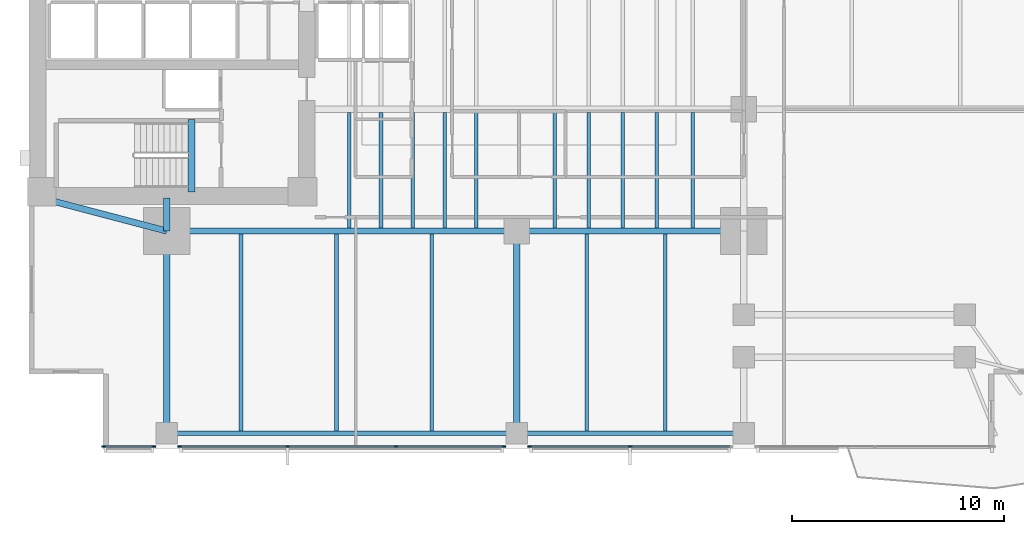
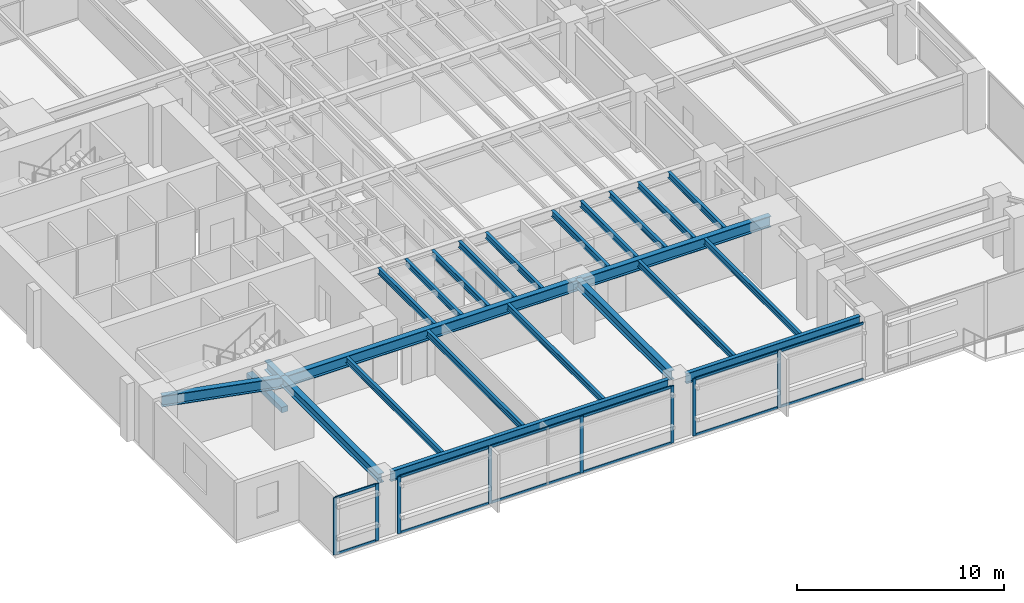
# One storey, part 2 of 15: 24 beams, 20 members, 3 elements without a shape of their own.
"""IFC4 building model written with IfcOpenShell, lengths in metres."""

import ifcopenshell
import ifcopenshell.guid

model = None  # the IFC model being written
_history = None  # IfcOwnerHistory: only IFC2X3 demands one
_inside = {}  # id of a spatial element -> (the spatial element, [elements in it])
_under = {}  # id of a project, library or spatial element -> (it, [spatial elements below it])
_declared = {}  # id of a project -> (the project, [libraries it declares])
_typed = {}  # id of a type object -> (the type object, [elements of that type])
_made_of = {}  # id of a material, layer set ... -> (it, [elements and type objects made of it])


def new_model(schema):
    """Start an empty IFC model of exactly this schema.

    Asked for "IFC4X3", IfcOpenShell would pick the latest addendum, in which some entities
    have other attributes; the version numbers below select the first issue.
    IFC2X3 requires an IfcOwnerHistory on every rooted entity: one is made here for all.
    """
    global model, _history
    if schema == "IFC4X3":
        model = ifcopenshell.file(schema_version=(4, 3, 0, 0))
    else:
        model = ifcopenshell.file(schema=schema)
    _inside.clear()
    _under.clear()
    _declared.clear()
    _typed.clear()
    _made_of.clear()
    _history = None
    if model.schema == "IFC2X3":
        org = make("IfcOrganization", Name="unknown")
        user = make(
            "IfcPersonAndOrganization",
            ThePerson=make("IfcPerson", FamilyName="unknown"),
            TheOrganization=org,
        )
        app = make(
            "IfcApplication",
            ApplicationDeveloper=org,
            Version="unknown",
            ApplicationFullName="unknown",
            ApplicationIdentifier="unknown",
        )
        _history = make(
            "IfcOwnerHistory",
            OwningUser=user,
            OwningApplication=app,
            ChangeAction="ADDED",
            CreationDate=0,
        )
    return model


def make(cls, **values):
    """One entity of the class cls with the attributes given. An attribute that is None is left unset."""
    return model.create_entity(
        cls, **{name: value for name, value in values.items() if value is not None}
    )


def rooted(cls, **values):
    """An entity with a GlobalId (a new one), such as an element, a storey or a relation."""
    return make(cls, GlobalId=ifcopenshell.guid.new(), OwnerHistory=_history, **values)


def si_unit(unit_type, name, prefix=None):
    """IfcSIUnit, for example si_unit("LENGTHUNIT", "METRE", prefix="MILLI")."""
    return make("IfcSIUnit", UnitType=unit_type, Prefix=prefix, Name=name)


def assignment(units):
    """IfcUnitAssignment: the units of a project."""
    return None if units is None else make("IfcUnitAssignment", Units=units)


def point(xyz):
    """IfcCartesianPoint."""
    return None if xyz is None else make("IfcCartesianPoint", Coordinates=xyz)


def direction(xyz):
    """IfcDirection."""
    return None if xyz is None else make("IfcDirection", DirectionRatios=xyz)


def frame(location, z_axis=None, x_axis=None):
    """IfcAxis2Placement3D, a coordinate frame: its origin and axes. An axis left out is left unset."""
    return make(
        "IfcAxis2Placement3D",
        Location=point(location),
        Axis=direction(z_axis),
        RefDirection=direction(x_axis),
    )


def frame_2d(location, x_axis=None):
    """IfcAxis2Placement2D, a coordinate frame in the plane: its origin and x axis."""
    return make(
        "IfcAxis2Placement2D", Location=point(location), RefDirection=direction(x_axis)
    )


def origin():
    """The frame at (0, 0, 0) with its axes left unset."""
    return frame((0.0, 0.0, 0.0))


def origin_2d():
    """The frame at (0, 0) in the plane with its x axis left unset."""
    return frame_2d((0.0, 0.0))


def place(relative_to, where):
    """IfcLocalPlacement: puts the frame where relative to a parent placement (None: the world)."""
    return make(
        "IfcLocalPlacement", PlacementRelTo=relative_to, RelativePlacement=where
    )


def context(
    kind, dimensions, precision=None, world=None, true_north=None, identifier=None
):
    """IfcGeometricRepresentationContext, for example the 3D "Model" context."""
    return make(
        "IfcGeometricRepresentationContext",
        ContextIdentifier=identifier,
        ContextType=kind,
        CoordinateSpaceDimension=dimensions,
        Precision=precision,
        WorldCoordinateSystem=world,
        TrueNorth=true_north,
    )


def subcontext(parent, identifier, kind, view, scale=None):
    """IfcGeometricRepresentationSubContext, for example "Body" below "Model"."""
    return make(
        "IfcGeometricRepresentationSubContext",
        ContextIdentifier=identifier,
        ContextType=kind,
        ParentContext=parent,
        TargetScale=scale,
        TargetView=view,
    )


def project(units=None, contexts=None):
    """IfcProject with its units and contexts."""
    return rooted(
        "IfcProject",
        Name="project",
        RepresentationContexts=contexts,
        UnitsInContext=assignment(units),
    )


def spatial(cls, under=None, at=None, **own):
    """A site, building, storey or space (cls), placed at a placement, below another one or the project."""
    s = rooted(cls, ObjectPlacement=at, **own)
    if under is not None:
        _under.setdefault(under.id(), (under, []))[1].append(s)
    return s


def profile(cls, at=None, kind="AREA", **sizes):
    """A parametric profile (cls). Its sizes go by their IFC names, for example OverallWidth=200.0."""
    return make(cls, ProfileType=kind, Position=at, **sizes)


def rectangle(**sizes):
    """IfcRectangleProfileDef."""
    return profile("IfcRectangleProfileDef", **sizes)


def i_section(**sizes):
    """IfcIShapeProfileDef."""
    return profile("IfcIShapeProfileDef", **sizes)


def extrude(swept, where, along, depth):
    """IfcExtrudedAreaSolid: the profile swept, set in the frame where, extruded along a direction by depth."""
    return make(
        "IfcExtrudedAreaSolid",
        SweptArea=swept,
        Position=where,
        ExtrudedDirection=direction(along),
        Depth=depth,
    )


def shape(context_of_items, identifier, shape_type, items):
    """IfcShapeRepresentation: the items that make up one representation, for example the "Body"."""
    return make(
        "IfcShapeRepresentation",
        ContextOfItems=context_of_items,
        RepresentationIdentifier=identifier,
        RepresentationType=shape_type,
        Items=items,
    )


def material(Name=None, Category=None):
    """IfcMaterial."""
    return make("IfcMaterial", Name=Name, Category=Category)


def layer(
    of_material, thickness, ventilated=None, Name=None, Category=None, Priority=None
):
    """IfcMaterialLayer: one layer of a wall or slab, of a material (None: an air gap)."""
    return make(
        "IfcMaterialLayer",
        Material=of_material,
        LayerThickness=thickness,
        IsVentilated=ventilated,
        Name=Name,
        Category=Category,
        Priority=Priority,
    )


def layer_set(layers, Name=None):
    """IfcMaterialLayerSet."""
    return make("IfcMaterialLayerSet", MaterialLayers=layers, LayerSetName=Name)


def material_profile(
    of_material, cross_section, Name=None, Category=None, Priority=None
):
    """IfcMaterialProfile: a cross section and its material."""
    return make(
        "IfcMaterialProfile",
        Name=Name,
        Material=of_material,
        Profile=cross_section,
        Priority=Priority,
        Category=Category,
    )


def profile_set(profiles, Name=None, composite=None):
    """IfcMaterialProfileSet."""
    return make(
        "IfcMaterialProfileSet",
        Name=Name,
        MaterialProfiles=profiles,
        CompositeProfile=composite,
    )


def made_of(thing, what):
    """Note that an element or type object is made of a material, layer set ...; save() writes the relation."""
    if what is not None:
        _made_of.setdefault(what.id(), (what, []))[1].append(thing)
    return thing


def type_object(cls, material=None, **own):
    """A type object (cls), such as IfcWallType, which elements share."""
    return made_of(rooted(cls, **own), material)


def element(
    cls,
    number,
    at=None,
    inside=None,
    cuts=None,
    type_object=None,
    material=None,
    context=None,
    identifier="Body",
    shape_type=None,
    held_by="IfcProductDefinitionShape",
    body=None,
    shapes=None,
    **own,
):
    """One element of the class cls, such as IfcWall. Its Tag is "e" and its number.

    at: its placement. inside: the storey or other place that contains it. cuts: it is an
    opening in that element (IfcRelVoidsElement). A single representation is given by context,
    identifier, shape_type and body (its items); several are given by shapes. held_by: the class
    of the entity that holds the representations. save() writes the other relations.
    """
    e = rooted(cls, Tag="e%d" % number, ObjectPlacement=at, **own)
    if body is not None:
        shapes = [shape(context, identifier, shape_type, body)]
    if shapes is not None:
        e.Representation = make(held_by, Representations=shapes)
    if inside is not None:
        _inside.setdefault(inside.id(), (inside, []))[1].append(e)
    if cuts is not None:
        rooted(
            "IfcRelVoidsElement", RelatingBuildingElement=cuts, RelatedOpeningElement=e
        )
    if type_object is not None:
        _typed.setdefault(type_object.id(), (type_object, []))[1].append(e)
    return made_of(e, material)


def aggregate(whole, parts):
    """IfcRelAggregates: a whole, such as a stair, and the parts it consists of."""
    return rooted("IfcRelAggregates", RelatingObject=whole, RelatedObjects=parts)


def save(model, path):
    """Write the relations noted so far, then the file.

    IfcRelAggregates (storeys below a building ...), IfcRelContainedInSpatialStructure (elements
    in a storey), IfcRelDefinesByType, IfcRelAssociatesMaterial and IfcRelDeclares: one each for
    every whole, place, type object, material and project.
    """
    for whole, parts in _under.values():
        aggregate(whole, parts)
    for where, things in _inside.values():
        rooted(
            "IfcRelContainedInSpatialStructure",
            RelatedElements=things,
            RelatingStructure=where,
        )
    for kind, things in _typed.values():
        rooted("IfcRelDefinesByType", RelatedObjects=things, RelatingType=kind)
    for what, things in _made_of.values():
        rooted("IfcRelAssociatesMaterial", RelatedObjects=things, RelatingMaterial=what)
    for by, libraries in _declared.values():
        rooted("IfcRelDeclares", RelatingContext=by, RelatedDefinitions=libraries)
    model.write(path)


model = new_model("IFC4")

# Units and contexts
model_context = context("Model", 3, precision=1e-05, world=origin(), true_north=direction((0.0, 1.0)))
body_context = subcontext(model_context, "Body", "Model", "MODEL_VIEW")
ifc_project = project(units=[si_unit("LENGTHUNIT", "METRE"), si_unit("AREAUNIT", "SQUARE_METRE"), si_unit("VOLUMEUNIT", "CUBIC_METRE"), si_unit("PLANEANGLEUNIT", "RADIAN"), si_unit("MASSUNIT", "GRAM", prefix="KILO")], contexts=[model_context])

# Site, building, storey
site_placement = place(None, origin())
site = spatial("IfcSite", under=ifc_project, at=site_placement, CompositionType="ELEMENT")
building_placement = place(site_placement, origin())
building = spatial("IfcBuilding", under=site, at=building_placement, Name="Kinhvarn Gate Tower", CompositionType="ELEMENT")
storey_placement = place(building_placement, frame((0.0, 0.0, 46.89990234375)))
storey = spatial("IfcBuildingStorey", under=building, at=storey_placement, Name="L11", CompositionType="ELEMENT", Elevation=46.89990234375)

# Beam
ifc_material_1 = material(Name="Concrete C50/60", Category="concrete")
ifc_material_profile_1 = material_profile(ifc_material_1, rectangle(XDim=0.340087890625, YDim=0.320068359375, at=origin_2d()), Name="RC 340x320")
ifc_profile_set_1 = profile_set([ifc_material_profile_1], Name="Concrete C50/60")
beam_type_1 = type_object("IfcBeamType", Name="BM-LND-500", PredefinedType="BEAM", material=ifc_profile_set_1)
beam_1_placement = place(storey_placement, frame((12.1650390625, 14.60009765625, -0.159912109375), z_axis=(0.0, 1.0, 0.0), x_axis=(-1.0, 0.0, 0.0)))
element("IfcBeam", 1, at=beam_1_placement, inside=storey, type_object=beam_type_1, Name="Stair ST1 Landing Nosing Beam (L11)", PredefinedType="BEAM", context=body_context, shape_type="SweptSolid", body=[
    extrude(rectangle(XDim=0.340087890625, YDim=0.320068359375, at=origin_2d()), origin(), (0.0, 0.0, 1.0), 3.39990234375),
])

# Curtain wall, members
ifc_material_2 = material(Name="Anodised aluminium AW-6063", Category="aluminium")
ifc_layer = layer(ifc_material_2, 0.179931640625)
ifc_layer_set = layer_set([ifc_layer], Name="Anodised aluminium AW-6063")
curtain_wall_type = type_object("IfcCurtainWallType", Name="CW-SYS-2", PredefinedType="NOTDEFINED", material=ifc_layer_set)
curtain_wall_1_placement = place(storey_placement, origin())
curtain_wall_1 = element("IfcCurtainWall", 2, at=curtain_wall_1_placement, inside=storey, type_object=curtain_wall_type, Name="Curtain Wall CW2 (L11)", PredefinedType="NOTDEFINED")
ifc_material_profile_2 = material_profile(ifc_material_2, rectangle(XDim=0.070068359375, YDim=0.179931640625, at=origin_2d()), Name="ALU 70x180")
ifc_profile_set_2 = profile_set([ifc_material_profile_2], Name="Anodised aluminium AW-6063")
member_type_1 = type_object("IfcMemberType", Name="CW-MUL-180", PredefinedType="MULLION", material=ifc_profile_set_2)
member_1_placement = place(storey_placement, frame((8.034912109375, 2.590087890625, 0.0), z_axis=(0.0, 0.0, 1.0), x_axis=(0.0, 1.0, 0.0)))
member_1 = element("IfcMember", 3, at=member_1_placement, type_object=member_type_1, Name="CW2 mullion 1", PredefinedType="MULLION", context=body_context, shape_type="SweptSolid", body=[
    extrude(rectangle(XDim=0.070068359375, YDim=0.179931640625, at=origin_2d()), origin(), (0.0, 0.0, 1.0), 3.3701171875),
])
member_2_placement = place(storey_placement, frame((10.385009765625, 2.590087890625, 0.0), z_axis=(0.0, 0.0, 1.0), x_axis=(0.0, 1.0, 0.0)))
member_2 = element("IfcMember", 4, at=member_2_placement, type_object=member_type_1, Name="CW2 mullion 2", PredefinedType="MULLION", context=body_context, shape_type="SweptSolid", body=[
    extrude(rectangle(XDim=0.070068359375, YDim=0.179931640625, at=origin_2d()), origin(), (0.0, 0.0, 1.0), 3.3701171875),
])

curtain_wall_2_placement = place(storey_placement, origin())
curtain_wall_2 = element("IfcCurtainWall", 5, at=curtain_wall_2_placement, inside=storey, type_object=curtain_wall_type, Name="Curtain Wall CW2 (L11)", PredefinedType="NOTDEFINED")
member_3_placement = place(storey_placement, frame((11.614990234375, 2.590087890625, 0.0), z_axis=(0.0, 0.0, 1.0), x_axis=(0.0, 1.0, 0.0)))
member_3 = element("IfcMember", 6, at=member_3_placement, type_object=member_type_1, Name="CW2 mullion 1", PredefinedType="MULLION", context=body_context, shape_type="SweptSolid", body=[
    extrude(rectangle(XDim=0.070068359375, YDim=0.179931640625, at=origin_2d()), origin(), (0.0, 0.0, 1.0), 3.3701171875),
])
member_4_placement = place(storey_placement, frame((16.693359375, 2.590087890625, 0.0), z_axis=(0.0, 0.0, 1.0), x_axis=(0.0, 1.0, 0.0)))
member_4 = element("IfcMember", 7, at=member_4_placement, type_object=member_type_1, Name="CW2 mullion 2", PredefinedType="MULLION", context=body_context, shape_type="SweptSolid", body=[
    extrude(rectangle(XDim=0.070068359375, YDim=0.179931640625, at=origin_2d()), origin(), (0.0, 0.0, 1.0), 3.3701171875),
])
member_5_placement = place(storey_placement, frame((21.806640625, 2.590087890625, 0.0), z_axis=(0.0, 0.0, 1.0), x_axis=(0.0, 1.0, 0.0)))
member_5 = element("IfcMember", 8, at=member_5_placement, type_object=member_type_1, Name="CW2 mullion 3", PredefinedType="MULLION", context=body_context, shape_type="SweptSolid", body=[
    extrude(rectangle(XDim=0.070068359375, YDim=0.179931640625, at=origin_2d()), origin(), (0.0, 0.0, 1.0), 3.3701171875),
])
member_6_placement = place(storey_placement, frame((26.885009765625, 2.590087890625, 0.0), z_axis=(0.0, 0.0, 1.0), x_axis=(0.0, 1.0, 0.0)))
member_6 = element("IfcMember", 9, at=member_6_placement, type_object=member_type_1, Name="CW2 mullion 4", PredefinedType="MULLION", context=body_context, shape_type="SweptSolid", body=[
    extrude(rectangle(XDim=0.070068359375, YDim=0.179931640625, at=origin_2d()), origin(), (0.0, 0.0, 1.0), 3.3701171875),
])

curtain_wall_3_placement = place(storey_placement, origin())
curtain_wall_3 = element("IfcCurtainWall", 10, at=curtain_wall_3_placement, inside=storey, type_object=curtain_wall_type, Name="Curtain Wall CW2 (L11)", PredefinedType="NOTDEFINED")
member_7_placement = place(storey_placement, frame((28.114990234375, 2.590087890625, 0.0), z_axis=(0.0, 0.0, 1.0), x_axis=(0.0, 1.0, 0.0)))
member_7 = element("IfcMember", 11, at=member_7_placement, type_object=member_type_1, Name="CW2 mullion 1", PredefinedType="MULLION", context=body_context, shape_type="SweptSolid", body=[
    extrude(rectangle(XDim=0.070068359375, YDim=0.179931640625, at=origin_2d()), origin(), (0.0, 0.0, 1.0), 3.3701171875),
])
member_8_placement = place(storey_placement, frame((32.85009765625, 2.590087890625, 0.0), z_axis=(0.0, 0.0, 1.0), x_axis=(0.0, 1.0, 0.0)))
member_8 = element("IfcMember", 12, at=member_8_placement, type_object=member_type_1, Name="CW2 mullion 2", PredefinedType="MULLION", context=body_context, shape_type="SweptSolid", body=[
    extrude(rectangle(XDim=0.070068359375, YDim=0.179931640625, at=origin_2d()), origin(), (0.0, 0.0, 1.0), 3.3701171875),
])

# Member
ifc_material_profile_3 = material_profile(ifc_material_2, rectangle(XDim=0.070068359375, YDim=0.139892578125, at=origin_2d()), Name="ALU 70x140")
ifc_profile_set_3 = profile_set([ifc_material_profile_3], Name="Anodised aluminium AW-6063")
member_type_2 = type_object("IfcMemberType", Name="CW-TRN-140", PredefinedType="USERDEFINED", material=ifc_profile_set_3)
member_9_placement = place(storey_placement, frame((8.070068359375, 2.590087890625, 0.03515625), z_axis=(1.0, 0.0, 0.0), x_axis=(0.0, 1.0, 0.0)))
member_9 = element("IfcMember", 13, at=member_9_placement, type_object=member_type_2, Name="CW2 transom 1.1", ObjectType="TRANSOM", PredefinedType="USERDEFINED", context=body_context, shape_type="SweptSolid", body=[
    extrude(rectangle(XDim=0.070068359375, YDim=0.139892578125, at=origin_2d()), origin(), (0.0, 0.0, 1.0), 2.280029296875),
])

member_10_placement = place(storey_placement, frame((8.070068359375, 2.590087890625, 3.335205078125), z_axis=(1.0, 0.0, 0.0), x_axis=(0.0, 1.0, 0.0)))
member_10 = element("IfcMember", 14, at=member_10_placement, type_object=member_type_2, Name="CW2 transom 1.2", ObjectType="TRANSOM", PredefinedType="USERDEFINED", context=body_context, shape_type="SweptSolid", body=[
    extrude(rectangle(XDim=0.070068359375, YDim=0.139892578125, at=origin_2d()), origin(), (0.0, 0.0, 1.0), 2.280029296875),
])

aggregate(curtain_wall_1, [member_1, member_2, member_9, member_10])

member_11_placement = place(storey_placement, frame((11.64990234375, 2.590087890625, 0.03515625), z_axis=(1.0, 0.0, 0.0), x_axis=(0.0, 1.0, 0.0)))
member_11 = element("IfcMember", 15, at=member_11_placement, type_object=member_type_2, Name="CW2 transom 1.1", ObjectType="TRANSOM", PredefinedType="USERDEFINED", context=body_context, shape_type="SweptSolid", body=[
    extrude(rectangle(XDim=0.070068359375, YDim=0.139892578125, at=origin_2d()), origin(), (0.0, 0.0, 1.0), 5.008544921875),
])

member_12_placement = place(storey_placement, frame((11.64990234375, 2.590087890625, 3.335205078125), z_axis=(1.0, 0.0, 0.0), x_axis=(0.0, 1.0, 0.0)))
member_12 = element("IfcMember", 16, at=member_12_placement, type_object=member_type_2, Name="CW2 transom 1.2", ObjectType="TRANSOM", PredefinedType="USERDEFINED", context=body_context, shape_type="SweptSolid", body=[
    extrude(rectangle(XDim=0.070068359375, YDim=0.139892578125, at=origin_2d()), origin(), (0.0, 0.0, 1.0), 5.008544921875),
])

member_13_placement = place(storey_placement, frame((16.728271484375, 2.590087890625, 0.03515625), z_axis=(1.0, 0.0, 0.0), x_axis=(0.0, 1.0, 0.0)))
member_13 = element("IfcMember", 17, at=member_13_placement, type_object=member_type_2, Name="CW2 transom 2.1", ObjectType="TRANSOM", PredefinedType="USERDEFINED", context=body_context, shape_type="SweptSolid", body=[
    extrude(rectangle(XDim=0.070068359375, YDim=0.139892578125, at=origin_2d()), origin(), (0.0, 0.0, 1.0), 5.04345703125),
])

member_14_placement = place(storey_placement, frame((16.728271484375, 2.590087890625, 3.335205078125), z_axis=(1.0, 0.0, 0.0), x_axis=(0.0, 1.0, 0.0)))
member_14 = element("IfcMember", 18, at=member_14_placement, type_object=member_type_2, Name="CW2 transom 2.2", ObjectType="TRANSOM", PredefinedType="USERDEFINED", context=body_context, shape_type="SweptSolid", body=[
    extrude(rectangle(XDim=0.070068359375, YDim=0.139892578125, at=origin_2d()), origin(), (0.0, 0.0, 1.0), 5.04345703125),
])

member_15_placement = place(storey_placement, frame((21.841552734375, 2.590087890625, 0.03515625), z_axis=(1.0, 0.0, 0.0), x_axis=(0.0, 1.0, 0.0)))
member_15 = element("IfcMember", 19, at=member_15_placement, type_object=member_type_2, Name="CW2 transom 3.1", ObjectType="TRANSOM", PredefinedType="USERDEFINED", context=body_context, shape_type="SweptSolid", body=[
    extrude(rectangle(XDim=0.070068359375, YDim=0.139892578125, at=origin_2d()), origin(), (0.0, 0.0, 1.0), 5.008544921875),
])

member_16_placement = place(storey_placement, frame((21.841552734375, 2.590087890625, 3.335205078125), z_axis=(1.0, 0.0, 0.0), x_axis=(0.0, 1.0, 0.0)))
member_16 = element("IfcMember", 20, at=member_16_placement, type_object=member_type_2, Name="CW2 transom 3.2", ObjectType="TRANSOM", PredefinedType="USERDEFINED", context=body_context, shape_type="SweptSolid", body=[
    extrude(rectangle(XDim=0.070068359375, YDim=0.139892578125, at=origin_2d()), origin(), (0.0, 0.0, 1.0), 5.008544921875),
])

aggregate(curtain_wall_2, [member_3, member_4, member_5, member_6, member_11, member_12, member_13, member_14, member_15, member_16])

member_17_placement = place(storey_placement, frame((28.14990234375, 2.590087890625, 0.03515625), z_axis=(1.0, 0.0, 0.0), x_axis=(0.0, 1.0, 0.0)))
member_17 = element("IfcMember", 21, at=member_17_placement, type_object=member_type_2, Name="CW2 transom 1.1", ObjectType="TRANSOM", PredefinedType="USERDEFINED", context=body_context, shape_type="SweptSolid", body=[
    extrude(rectangle(XDim=0.070068359375, YDim=0.139892578125, at=origin_2d()), origin(), (0.0, 0.0, 1.0), 4.6650390625),
])

member_18_placement = place(storey_placement, frame((28.14990234375, 2.590087890625, 3.335205078125), z_axis=(1.0, 0.0, 0.0), x_axis=(0.0, 1.0, 0.0)))
member_18 = element("IfcMember", 22, at=member_18_placement, type_object=member_type_2, Name="CW2 transom 1.2", ObjectType="TRANSOM", PredefinedType="USERDEFINED", context=body_context, shape_type="SweptSolid", body=[
    extrude(rectangle(XDim=0.070068359375, YDim=0.139892578125, at=origin_2d()), origin(), (0.0, 0.0, 1.0), 4.6650390625),
])

member_19_placement = place(storey_placement, frame((32.885009765625, 2.590087890625, 0.03515625), z_axis=(1.0, 0.0, 0.0), x_axis=(0.0, 1.0, 0.0)))
member_19 = element("IfcMember", 23, at=member_19_placement, type_object=member_type_2, Name="CW2 transom 2.1", ObjectType="TRANSOM", PredefinedType="USERDEFINED", context=body_context, shape_type="SweptSolid", body=[
    extrude(rectangle(XDim=0.070068359375, YDim=0.139892578125, at=origin_2d()), origin(), (0.0, 0.0, 1.0), 4.6650390625),
])

member_20_placement = place(storey_placement, frame((32.885009765625, 2.590087890625, 3.335205078125), z_axis=(1.0, 0.0, 0.0), x_axis=(0.0, 1.0, 0.0)))
member_20 = element("IfcMember", 24, at=member_20_placement, type_object=member_type_2, Name="CW2 transom 2.2", ObjectType="TRANSOM", PredefinedType="USERDEFINED", context=body_context, shape_type="SweptSolid", body=[
    extrude(rectangle(XDim=0.070068359375, YDim=0.139892578125, at=origin_2d()), origin(), (0.0, 0.0, 1.0), 4.6650390625),
])

aggregate(curtain_wall_3, [member_7, member_8, member_17, member_18, member_19, member_20])

# Beams
ifc_material_3 = material(Name="Steel S355", Category="steel")
ifc_material_profile_4 = material_profile(ifc_material_3, i_section(OverallWidth=0.300048828125, OverallDepth=0.550048828125, WebThickness=0.014892578125, FlangeThickness=0.029052734375, at=origin_2d()), Name="HEB 550")
ifc_profile_set_4 = profile_set([ifc_material_profile_4], Name="Steel S355")
beam_type_2 = type_object("IfcBeamType", Name="STL-HEB550", PredefinedType="BEAM", material=ifc_profile_set_4)
beam_2_placement = place(storey_placement, frame((11.0, 3.219970703125, 3.09521484375), z_axis=(0.0, 1.0, 0.0), x_axis=(-1.0, 0.0, 0.0)))
element("IfcBeam", 25, at=beam_2_placement, inside=storey, type_object=beam_type_2, Name="Floor Beam PG-15 (L11 MCW-S)", PredefinedType="BEAM", context=body_context, shape_type="SweptSolid", body=[
    extrude(i_section(OverallWidth=0.300048828125, OverallDepth=0.550048828125, WebThickness=0.014892578125, FlangeThickness=0.029052734375, at=origin_2d()), origin(), (0.0, 0.0, 1.0), 9.530029296875),
])
beam_3_placement = place(storey_placement, frame((11.0, 12.75, 3.09521484375), z_axis=(0.0, 1.0, 0.0), x_axis=(-1.0, 0.0, 0.0)))
element("IfcBeam", 26, at=beam_3_placement, inside=storey, type_object=beam_type_2, Name="Floor Beam PG-15 (L11 MCW-CS)", PredefinedType="BEAM", context=body_context, shape_type="SweptSolid", body=[
    extrude(i_section(OverallWidth=0.300048828125, OverallDepth=0.550048828125, WebThickness=0.014892578125, FlangeThickness=0.029052734375, at=origin_2d()), origin(), (0.0, 0.0, 1.0), 1.550048828125),
])
beam_4_placement = place(storey_placement, frame((27.5, 3.705078125, 3.09521484375), z_axis=(0.0, 1.0, 0.0), x_axis=(-1.0, 0.0, 0.0)))
element("IfcBeam", 27, at=beam_4_placement, inside=storey, type_object=beam_type_2, Name="Floor Beam PG-15 (L11 SP27-S-TIE)", PredefinedType="BEAM", context=body_context, shape_type="SweptSolid", body=[
    extrude(i_section(OverallWidth=0.300048828125, OverallDepth=0.550048828125, WebThickness=0.014892578125, FlangeThickness=0.029052734375, at=origin_2d()), origin(), (0.0, 0.0, 1.0), 9.044921875),
])
ifc_material_profile_5 = material_profile(ifc_material_3, i_section(OverallWidth=0.300048828125, OverallDepth=0.64990234375, WebThickness=0.01611328125, FlangeThickness=0.031005859375, at=origin_2d()), Name="HEB 650")
ifc_profile_set_5 = profile_set([ifc_material_profile_5], Name="Steel S355")
beam_type_3 = type_object("IfcBeamType", Name="STL-HEB650", PredefinedType="BEAM", material=ifc_profile_set_5)
beam_5_placement = place(storey_placement, frame((11.0, 12.75, 3.045166015625), z_axis=(1.0, 0.0, 0.0), x_axis=(0.0, 1.0, 0.0)))
element("IfcBeam", 28, at=beam_5_placement, inside=storey, type_object=beam_type_3, Name="Floor Beam PG-17 (L11 MG-S1)", PredefinedType="BEAM", context=body_context, shape_type="SweptSolid", body=[
    extrude(i_section(OverallWidth=0.300048828125, OverallDepth=0.64990234375, WebThickness=0.01611328125, FlangeThickness=0.031005859375, at=origin_2d()), origin(), (0.0, 0.0, 1.0), 16.5),
])
beam_6_placement = place(storey_placement, frame((27.5, 12.75, 3.045166015625), z_axis=(1.0, 0.0, 0.0), x_axis=(0.0, 1.0, 0.0)))
element("IfcBeam", 29, at=beam_6_placement, inside=storey, type_object=beam_type_3, Name="Floor Beam PG-17 (L11 MG-S2)", PredefinedType="BEAM", context=body_context, shape_type="SweptSolid", body=[
    extrude(i_section(OverallWidth=0.300048828125, OverallDepth=0.64990234375, WebThickness=0.01611328125, FlangeThickness=0.031005859375, at=origin_2d()), origin(), (0.0, 0.0, 1.0), 10.699951171875),
])
beam_7_placement = place(storey_placement, frame((5.10009765625, 14.300048828125, 3.045166015625), z_axis=(0.967177623957, -0.254101246979, 0.0), x_axis=(0.254101246979, 0.967177623957, 0.0)))
element("IfcBeam", 30, at=beam_7_placement, inside=storey, type_object=beam_type_3, Name="Floor Beam PG-17 (L11 MG-SW-DIAG)", PredefinedType="BEAM", context=body_context, shape_type="SweptSolid", body=[
    extrude(i_section(OverallWidth=0.300048828125, OverallDepth=0.64990234375, WebThickness=0.01611328125, FlangeThickness=0.031005859375, at=origin_2d()), origin(), (0.0, 0.0, 1.0), 6.10009765625),
])
ifc_material_profile_6 = material_profile(ifc_material_3, i_section(OverallWidth=0.169921875, OverallDepth=0.360107421875, WebThickness=0.008056640625, FlangeThickness=0.0126953125, at=origin_2d()), Name="IPE 360")
ifc_profile_set_6 = profile_set([ifc_material_profile_6], Name="Steel S355")
beam_type_4 = type_object("IfcBeamType", Name="STL-IPE360", PredefinedType="JOIST", material=ifc_profile_set_6)
for number, where, z_axis, x_axis, name in (
    (31, (19.60009765625, 12.89990234375, 3.190185546875), (0.0, 1.0, 0.0), (-1.0, 0.0, 0.0), "Floor Joist SB-04 (L11 JC-X196-0)"),
    (32, (21.10009765625, 12.89990234375, 3.190185546875), (0.0, 1.0, 0.0), (-1.0, 0.0, 0.0), "Floor Joist SB-04 (L11 JC-X211-0)"),
    (33, (22.60009765625, 12.89990234375, 3.190185546875), (0.0, 1.0, 0.0), (-1.0, 0.0, 0.0), "Floor Joist SB-04 (L11 JC-X226-0)"),
    (34, (24.10009765625, 12.89990234375, 3.190185546875), (0.0, 1.0, 0.0), (-1.0, 0.0, 0.0), "Floor Joist SB-04 (L11 JC-X241-0)"),
    (35, (25.60009765625, 12.89990234375, 3.190185546875), (0.0, 1.0, 0.0), (-1.0, 0.0, 0.0), "Floor Joist SB-04 (L11 JC-X256-0)"),
    (36, (29.300048828125, 12.89990234375, 3.190185546875), (0.0, 1.0, 0.0), (-1.0, 0.0, 0.0), "Floor Joist SB-04 (L11 JC-X293-0)"),
    (37, (30.89990234375, 12.89990234375, 3.190185546875), (0.0, 1.0, 0.0), (-1.0, 0.0, 0.0), "Floor Joist SB-04 (L11 JC-X309-0)"),
    (38, (32.5, 12.89990234375, 3.190185546875), (0.0, 1.0, 0.0), (-1.0, 0.0, 0.0), "Floor Joist SB-04 (L11 JC-X325-0)"),
    (39, (34.10009765625, 12.89990234375, 3.190185546875), (0.0, 1.0, 0.0), (-1.0, 0.0, 0.0), "Floor Joist SB-04 (L11 JC-X341-0)"),
    (40, (35.800048828125, 12.89990234375, 3.190185546875), (0.0, 1.0, 0.0), (-1.0, 0.0, 0.0), "Floor Joist SB-04 (L11 JC-X358-0)"),
):
    element("IfcBeam", number, at=place(storey_placement, frame(where, z_axis=z_axis, x_axis=x_axis)), inside=storey, type_object=beam_type_4, Name=name, PredefinedType="JOIST", context=body_context, shape_type="SweptSolid", body=[
        extrude(i_section(OverallWidth=0.169921875, OverallDepth=0.360107421875, WebThickness=0.008056640625, FlangeThickness=0.0126953125, at=origin_2d()), origin(), (0.0, 0.0, 1.0), 5.4501953125),
    ])
for number, where, z_axis, x_axis, name in (
    (41, (14.5, 3.330078125, 3.190185546875), (0.0, 1.0, 0.0), (-1.0, 0.0, 0.0), "Floor Joist SB-04 (L11 JS-X145)"),
    (42, (19.0, 3.330078125, 3.190185546875), (0.0, 1.0, 0.0), (-1.0, 0.0, 0.0), "Floor Joist SB-04 (L11 JS-X190)"),
    (43, (23.5, 3.330078125, 3.190185546875), (0.0, 1.0, 0.0), (-1.0, 0.0, 0.0), "Floor Joist SB-04 (L11 JS-X235)"),
    (44, (30.800048828125, 3.330078125, 3.190185546875), (0.0, 1.0, 0.0), (-1.0, 0.0, 0.0), "Floor Joist SB-04 (L11 JS-X308)"),
    (45, (34.5, 3.330078125, 3.190185546875), (0.0, 1.0, 0.0), (-1.0, 0.0, 0.0), "Floor Joist SB-04 (L11 JS-X345)"),
):
    element("IfcBeam", number, at=place(storey_placement, frame(where, z_axis=z_axis, x_axis=x_axis)), inside=storey, type_object=beam_type_4, Name=name, PredefinedType="JOIST", context=body_context, shape_type="SweptSolid", body=[
        extrude(i_section(OverallWidth=0.169921875, OverallDepth=0.360107421875, WebThickness=0.008056640625, FlangeThickness=0.0126953125, at=origin_2d()), origin(), (0.0, 0.0, 1.0), 9.27001953125),
    ])
ifc_material_profile_7 = material_profile(ifc_material_3, i_section(OverallWidth=0.219970703125, OverallDepth=0.60009765625, WebThickness=0.011962890625, FlangeThickness=0.01904296875, at=origin_2d()), Name="IPE 600")
ifc_profile_set_7 = profile_set([ifc_material_profile_7], Name="Steel S355")
beam_type_5 = type_object("IfcBeamType", Name="STL-IPE600", PredefinedType="SPANDREL", material=ifc_profile_set_7)
beam_8_placement = place(storey_placement, frame((11.485107421875, 3.219970703125, 3.070068359375), z_axis=(1.0, 0.0, 0.0), x_axis=(0.0, 1.0, 0.0)))
element("IfcBeam", 46, at=beam_8_placement, inside=storey, type_object=beam_type_5, Name="Floor Spandrel SB-09 (L11 SP-S1)", PredefinedType="SPANDREL", context=body_context, shape_type="SweptSolid", body=[
    extrude(i_section(OverallWidth=0.219970703125, OverallDepth=0.60009765625, WebThickness=0.011962890625, FlangeThickness=0.01904296875, at=origin_2d()), origin(), (0.0, 0.0, 1.0), 15.52978515625),
])
beam_9_placement = place(storey_placement, frame((27.985107421875, 3.219970703125, 3.070068359375), z_axis=(1.0, 0.0, 0.0), x_axis=(0.0, 1.0, 0.0)))
element("IfcBeam", 47, at=beam_9_placement, inside=storey, type_object=beam_type_5, Name="Floor Spandrel SB-09 (L11 SP-S2)", PredefinedType="SPANDREL", context=body_context, shape_type="SweptSolid", body=[
    extrude(i_section(OverallWidth=0.219970703125, OverallDepth=0.60009765625, WebThickness=0.011962890625, FlangeThickness=0.01904296875, at=origin_2d()), origin(), (0.0, 0.0, 1.0), 9.72998046875),
])

save(model, "model.ifc")
